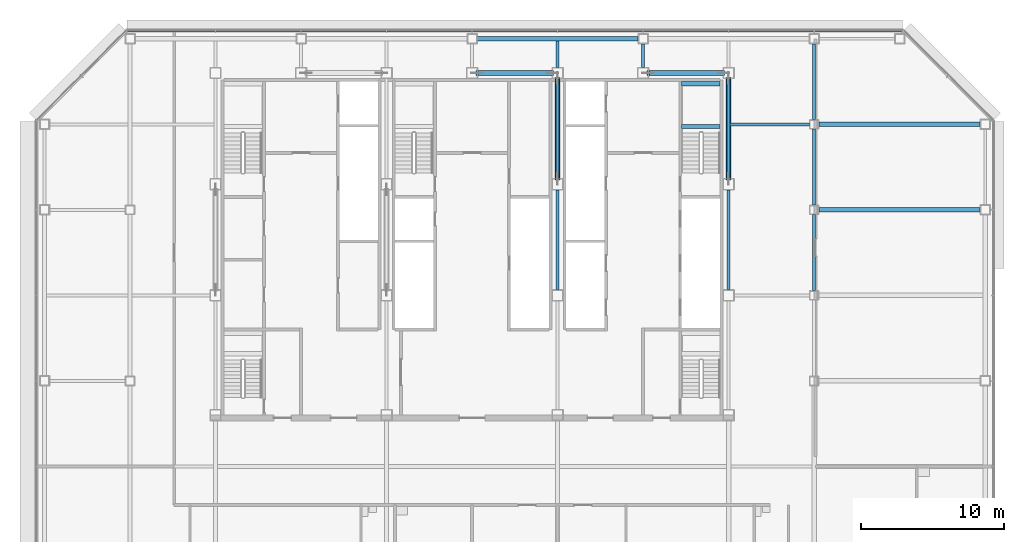
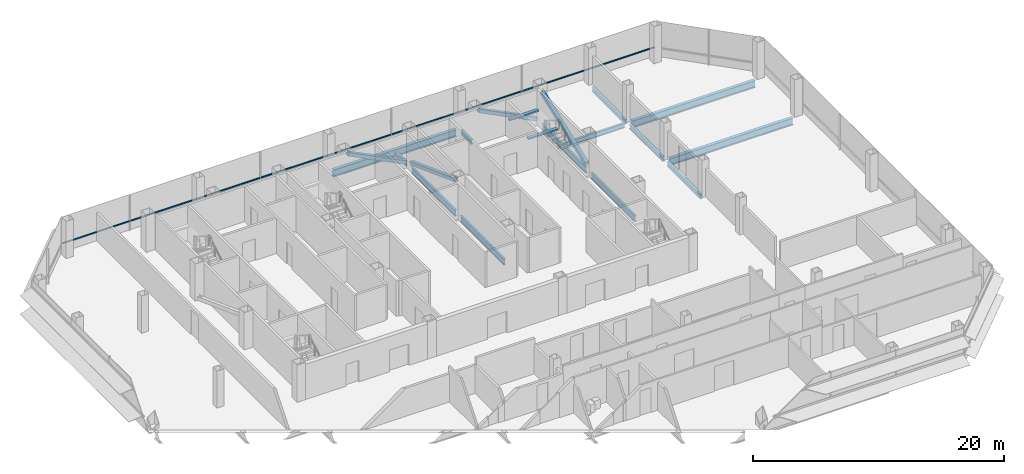
# One storey, part 13 of 24: 15 beams, 5 members, 1 element without a shape of its own.
"""IFC4 building model written with IfcOpenShell, lengths in metres."""

from ifc_helpers import new_model, si_unit, direction, frame, origin, origin_2d, place, context, subcontext, project, spatial, rectangle, hollow_rectangle, i_section, extrude, material, material_profile, profile_set, type_object, element, aggregate, save


model = new_model("IFC4")

# Units and contexts
model_context = context("Model", 3, precision=1e-05, world=origin(), true_north=direction((0.0, 1.0)))
body_context = subcontext(model_context, "Body", "Model", "MODEL_VIEW")
ifc_project = project(units=[si_unit("LENGTHUNIT", "METRE"), si_unit("AREAUNIT", "SQUARE_METRE"), si_unit("VOLUMEUNIT", "CUBIC_METRE"), si_unit("PLANEANGLEUNIT", "RADIAN"), si_unit("MASSUNIT", "GRAM", prefix="KILO")], contexts=[model_context])

# Site, building, storey
site_placement = place(None, origin())
site = spatial("IfcSite", under=ifc_project, at=site_placement, CompositionType="ELEMENT")
building_placement = place(site_placement, origin())
building = spatial("IfcBuilding", under=site, at=building_placement, Name="Sorahane Residences", CompositionType="ELEMENT")
storey_placement = place(building_placement, frame((0.0, 0.0, 170.800048828125)))
storey = spatial("IfcBuildingStorey", under=building, at=storey_placement, Name="L39", CompositionType="ELEMENT", Elevation=170.800048828125)

# Members
ifc_material_1 = material(Name="Steel Q355B", Category="steel")
ifc_material_profile_1 = material_profile(ifc_material_1, hollow_rectangle(XDim=0.35009765625, YDim=0.35009765625, WallThickness=0.01806640625, InnerFilletRadius=0.009033203125, OuterFilletRadius=0.027099609375, at=origin_2d()), Name="RHS 350x350x18")
ifc_profile_set_1 = profile_set([ifc_material_profile_1], Name="Steel Q355B")
member_type_1 = type_object("IfcMemberType", Name="Core brace RHS 350x350x18 Q355B", PredefinedType="BRACE", material=ifc_profile_set_1)
for number, where, z_axis, x_axis, name in (
    (1, (29.647216796875, 45.60009765625, 0.151123046875), (-0.893039246852, 0.0, 0.449978781258), (0.0, -1.0, 0.0), "Core brace L39 y45.6-4"),
    (2, (41.647216796875, 45.60009765625, 0.151123046875), (-0.893039246852, 0.0, 0.449978781258), (0.0, -1.0, 0.0), "Core brace L39 y45.6-6"),
):
    element("IfcMember", number, at=place(storey_placement, frame(where, z_axis=z_axis, x_axis=x_axis)), inside=storey, type_object=member_type_1, Name=name, PredefinedType="BRACE", context=body_context, shape_type="SweptSolid", body=[
        extrude(hollow_rectangle(XDim=0.35009765625, YDim=0.35009765625, WallThickness=0.01806640625, InnerFilletRadius=0.009033203125, OuterFilletRadius=0.027099609375, at=origin_2d()), origin(), (0.0, 0.0, 1.0), 5.928466796875),
    ])
for number, where, z_axis, x_axis, name in (
    (3, (42.0, 38.1630859375, 0.1611328125), (0.0, 0.93654419724, 0.350549520918), (-1.0, 0.0, 0.0), "Core brace L39 x42-3"),
    (4, (30.0, 45.23681640625, 0.1611328125), (0.0, -0.93654419724, 0.350549520918), (1.0, 0.0, 0.0), "Core brace L39 x30-2"),
):
    element("IfcMember", number, at=place(storey_placement, frame(where, z_axis=z_axis, x_axis=x_axis)), inside=storey, type_object=member_type_1, Name=name, PredefinedType="BRACE", context=body_context, shape_type="SweptSolid", body=[
        extrude(hollow_rectangle(XDim=0.35009765625, YDim=0.35009765625, WallThickness=0.01806640625, InnerFilletRadius=0.009033203125, OuterFilletRadius=0.027099609375, at=origin_2d()), origin(), (0.0, 0.0, 1.0), 7.552978515625),
    ])

# Curtain wall, member
ifc_material_2 = material(Name="Dark low-e glass and black anodised aluminium", Category="aluminium")
curtain_wall_type = type_object("IfcCurtainWallType", Name="Curtain wall CW-1 Typical unitised wall", PredefinedType="NOTDEFINED", material=ifc_material_2)
curtain_wall_placement = place(storey_placement, origin())
curtain_wall = element("IfcCurtainWall", 5, at=curtain_wall_placement, inside=storey, type_object=curtain_wall_type, Name="CW-1 curtain wall L39 N1", PredefinedType="NOTDEFINED")
ifc_material_3 = material(Name="Black anodised aluminium", Category="aluminium")
ifc_material_profile_2 = material_profile(ifc_material_3, rectangle(XDim=0.10009765625, YDim=0.06005859375, at=origin_2d()), Name="Curtain wall transom CW-1 black anodised aluminium 60x100")
ifc_profile_set_2 = profile_set([ifc_material_profile_2], Name="Black anodised aluminium")
member_type_2 = type_object("IfcMemberType", Name="Curtain wall transom CW-1 black anodised aluminium 60x100", PredefinedType="USERDEFINED", material=ifc_profile_set_2)
member_placement = place(storey_placement, frame((54.198486328125, 48.530029296875, 0.89990234375), z_axis=(-1.0, 0.0, 0.0), x_axis=(0.0, -1.0, 0.0)))
member = element("IfcMember", 6, at=member_placement, type_object=member_type_2, Name="CW-1 transom L39 N1", ObjectType="TRANSOM", PredefinedType="USERDEFINED", context=body_context, shape_type="SweptSolid", body=[
    extrude(rectangle(XDim=0.10009765625, YDim=0.06005859375, at=origin_2d()), origin(), (0.0, 0.0, 1.0), 54.39697265625),
])
aggregate(curtain_wall, [member])

# Beams
ifc_material_4 = material(Name="Concrete C40", Category="concrete")
ifc_material_profile_3 = material_profile(ifc_material_4, rectangle(XDim=0.300048828125, YDim=0.139892578125, at=origin_2d()), Name="300x140")
ifc_profile_set_3 = profile_set([ifc_material_profile_3], Name="Concrete C40")
beam_type_1 = type_object("IfcBeamType", Name="RC landing beam 300 x 140 Concrete C40", PredefinedType="BEAM", material=ifc_profile_set_3)
for number, where, z_axis, x_axis, name in (
    (7, (38.699951171875, 41.85009765625, 1.530029296875), (1.0, 0.0, 0.0), (0.0, 1.0, 0.0), "Landing beam"),
    (8, (38.699951171875, 44.85009765625, 1.530029296875), (1.0, 0.0, 0.0), (0.0, 1.0, 0.0), "Landing beam"),
):
    element("IfcBeam", number, at=place(storey_placement, frame(where, z_axis=z_axis, x_axis=x_axis)), inside=storey, type_object=beam_type_1, Name=name, PredefinedType="BEAM", context=body_context, shape_type="SweptSolid", body=[
        extrude(rectangle(XDim=0.300048828125, YDim=0.139892578125, at=origin_2d()), origin(), (0.0, 0.0, 1.0), 2.699951171875),
    ])
ifc_material_5 = material(Name="Steel Q355B", Category="steel")
ifc_material_profile_4 = material_profile(ifc_material_5, i_section(OverallWidth=0.199951171875, OverallDepth=0.449951171875, WebThickness=0.009033203125, FlangeThickness=0.013916015625, FilletRadius=0.02001953125, at=origin_2d()), Name="HN 450x200x9x14")
ifc_profile_set_4 = profile_set([ifc_material_profile_4], Name="Steel Q355B")
beam_type_2 = type_object("IfcBeamType", Name="Steel floor beam HN 450x200x9x14 Q355B", PredefinedType="BEAM", material=ifc_profile_set_4)
beam_1_placement = place(storey_placement, frame((30.0, 46.0, -0.405029296875), z_axis=(0.0, 1.0, 0.0), x_axis=(-1.0, 0.0, 0.0)))
element("IfcBeam", 9, at=beam_1_placement, inside=storey, type_object=beam_type_2, Name="Beam L39 049", PredefinedType="BEAM", context=body_context, shape_type="SweptSolid", body=[
    extrude(i_section(OverallWidth=0.199951171875, OverallDepth=0.449951171875, WebThickness=0.009033203125, FlangeThickness=0.013916015625, FilletRadius=0.02001953125, at=origin_2d()), origin(), (0.0, 0.0, 1.0), 1.85009765625),
])
beam_2_placement = place(storey_placement, frame((36.0, 46.0, -0.405029296875), z_axis=(0.0, 1.0, 0.0), x_axis=(-1.0, 0.0, 0.0)))
element("IfcBeam", 10, at=beam_2_placement, inside=storey, type_object=beam_type_2, Name="Beam L39 051", PredefinedType="BEAM", context=body_context, shape_type="SweptSolid", body=[
    extrude(i_section(OverallWidth=0.199951171875, OverallDepth=0.449951171875, WebThickness=0.009033203125, FlangeThickness=0.013916015625, FilletRadius=0.02001953125, at=origin_2d()), origin(), (0.0, 0.0, 1.0), 1.64990234375),
])
for number, where, z_axis, x_axis, name in (
    (11, (48.0, 30.324951171875, -0.405029296875), (0.0, 1.0, 0.0), (-1.0, 0.0, 0.0), "Beam L39 061"),
    (12, (48.0, 36.324951171875, -0.405029296875), (0.0, 1.0, 0.0), (-1.0, 0.0, 0.0), "Beam L39 062"),
):
    element("IfcBeam", number, at=place(storey_placement, frame(where, z_axis=z_axis, x_axis=x_axis)), inside=storey, type_object=beam_type_2, Name=name, PredefinedType="BEAM", context=body_context, shape_type="SweptSolid", body=[
        extrude(i_section(OverallWidth=0.199951171875, OverallDepth=0.449951171875, WebThickness=0.009033203125, FlangeThickness=0.013916015625, FilletRadius=0.02001953125, at=origin_2d()), origin(), (0.0, 0.0, 1.0), 5.35009765625),
    ])
beam_3_placement = place(storey_placement, frame((48.0, 42.324951171875, -0.405029296875), z_axis=(0.0, 1.0, 0.0), x_axis=(-1.0, 0.0, 0.0)))
element("IfcBeam", 13, at=beam_3_placement, inside=storey, type_object=beam_type_2, Name="Beam L39 063", PredefinedType="BEAM", context=body_context, shape_type="SweptSolid", body=[
    extrude(i_section(OverallWidth=0.199951171875, OverallDepth=0.449951171875, WebThickness=0.009033203125, FlangeThickness=0.013916015625, FilletRadius=0.02001953125, at=origin_2d()), origin(), (0.0, 0.0, 1.0), 5.324951171875),
])
beam_4_placement = place(storey_placement, frame((42.10009765625, 42.0, -0.405029296875), z_axis=(1.0, 0.0, 0.0), x_axis=(0.0, 1.0, 0.0)))
element("IfcBeam", 14, at=beam_4_placement, inside=storey, type_object=beam_type_2, Name="Beam L39 091", PredefinedType="BEAM", context=body_context, shape_type="SweptSolid", body=[
    extrude(i_section(OverallWidth=0.199951171875, OverallDepth=0.449951171875, WebThickness=0.009033203125, FlangeThickness=0.013916015625, FilletRadius=0.02001953125, at=origin_2d()), origin(), (0.0, 0.0, 1.0), 5.574951171875),
])
ifc_material_6 = material(Name="Steel Q355B", Category="steel")
ifc_material_profile_5 = material_profile(ifc_material_6, i_section(OverallWidth=0.199951171875, OverallDepth=0.60009765625, WebThickness=0.010986328125, FlangeThickness=0.01708984375, FilletRadius=0.02392578125, at=origin_2d()), Name="HN 600x200x11x17")
ifc_profile_set_5 = profile_set([ifc_material_profile_5], Name="Steel Q355B")
beam_type_3 = type_object("IfcBeamType", Name="Steel floor beam HN 600x200x11x17 Q355B", PredefinedType="BEAM", material=ifc_profile_set_5)
for number, where, z_axis, x_axis, name in (
    (15, (30.0, 30.39990234375, -0.47998046875), (0.0, 1.0, 0.0), (-1.0, 0.0, 0.0), "Beam L39 047"),
    (16, (30.0, 38.199951171875, -0.47998046875), (0.0, 1.0, 0.0), (-1.0, 0.0, 0.0), "Beam L39 048"),
    (17, (42.0, 30.39990234375, -0.47998046875), (0.0, 1.0, 0.0), (-1.0, 0.0, 0.0), "Beam L39 055"),
    (18, (42.0, 38.199951171875, -0.47998046875), (0.0, 1.0, 0.0), (-1.0, 0.0, 0.0), "Beam L39 056"),
):
    element("IfcBeam", number, at=place(storey_placement, frame(where, z_axis=z_axis, x_axis=x_axis)), inside=storey, type_object=beam_type_3, Name=name, PredefinedType="BEAM", context=body_context, shape_type="SweptSolid", body=[
        extrude(i_section(OverallWidth=0.199951171875, OverallDepth=0.60009765625, WebThickness=0.010986328125, FlangeThickness=0.01708984375, FilletRadius=0.02392578125, at=origin_2d()), origin(), (0.0, 0.0, 1.0), 7.0),
    ])
ifc_material_7 = material(Name="Steel Q355B", Category="steel")
ifc_material_profile_6 = material_profile(ifc_material_7, i_section(OverallWidth=0.300048828125, OverallDepth=0.699951171875, WebThickness=0.012939453125, FlangeThickness=0.02392578125, FilletRadius=0.028076171875, at=origin_2d()), Name="HN 700x300x13x24")
ifc_profile_set_6 = profile_set([ifc_material_profile_6], Name="Steel Q355B")
beam_type_4 = type_object("IfcBeamType", Name="Steel floor beam HN 700x300x13x24 Q355B", PredefinedType="BEAM", material=ifc_profile_set_6)
beam_5_placement = place(storey_placement, frame((48.324951171875, 36.0, -0.530029296875), z_axis=(1.0, 0.0, 0.0), x_axis=(0.0, 1.0, 0.0)))
element("IfcBeam", 19, at=beam_5_placement, inside=storey, type_object=beam_type_4, Name="Beam L39 014", PredefinedType="BEAM", context=body_context, shape_type="SweptSolid", body=[
    extrude(i_section(OverallWidth=0.300048828125, OverallDepth=0.699951171875, WebThickness=0.012939453125, FlangeThickness=0.02392578125, FilletRadius=0.028076171875, at=origin_2d()), origin(), (0.0, 0.0, 1.0), 11.324951171875),
])
beam_6_placement = place(storey_placement, frame((24.35009765625, 48.0, -0.530029296875), z_axis=(1.0, 0.0, 0.0), x_axis=(0.0, 1.0, 0.0)))
element("IfcBeam", 20, at=beam_6_placement, inside=storey, type_object=beam_type_4, Name="Beam L39 017", PredefinedType="BEAM", context=body_context, shape_type="SweptSolid", body=[
    extrude(i_section(OverallWidth=0.300048828125, OverallDepth=0.699951171875, WebThickness=0.012939453125, FlangeThickness=0.02392578125, FilletRadius=0.028076171875, at=origin_2d()), origin(), (0.0, 0.0, 1.0), 11.2998046875),
])
beam_7_placement = place(storey_placement, frame((48.324951171875, 42.0, -0.530029296875), z_axis=(1.0, 0.0, 0.0), x_axis=(0.0, 1.0, 0.0)))
element("IfcBeam", 21, at=beam_7_placement, inside=storey, type_object=beam_type_4, Name="Beam L39 092", PredefinedType="BEAM", context=body_context, shape_type="SweptSolid", body=[
    extrude(i_section(OverallWidth=0.300048828125, OverallDepth=0.699951171875, WebThickness=0.012939453125, FlangeThickness=0.02392578125, FilletRadius=0.028076171875, at=origin_2d()), origin(), (0.0, 0.0, 1.0), 11.324951171875),
])

save(model, "model.ifc")
